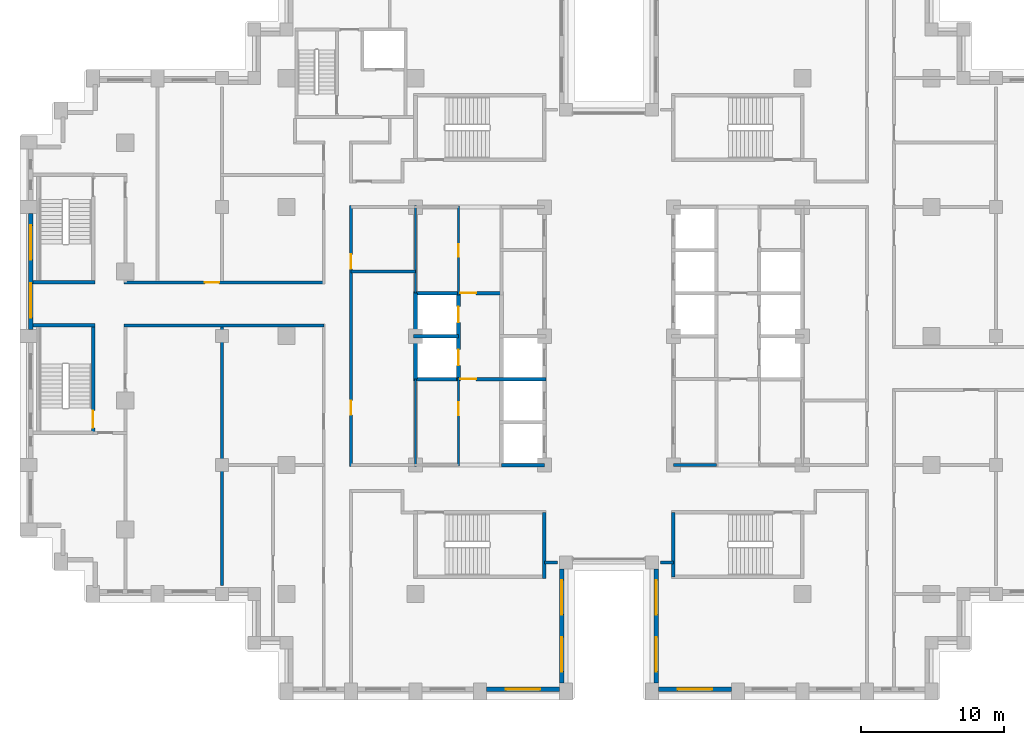
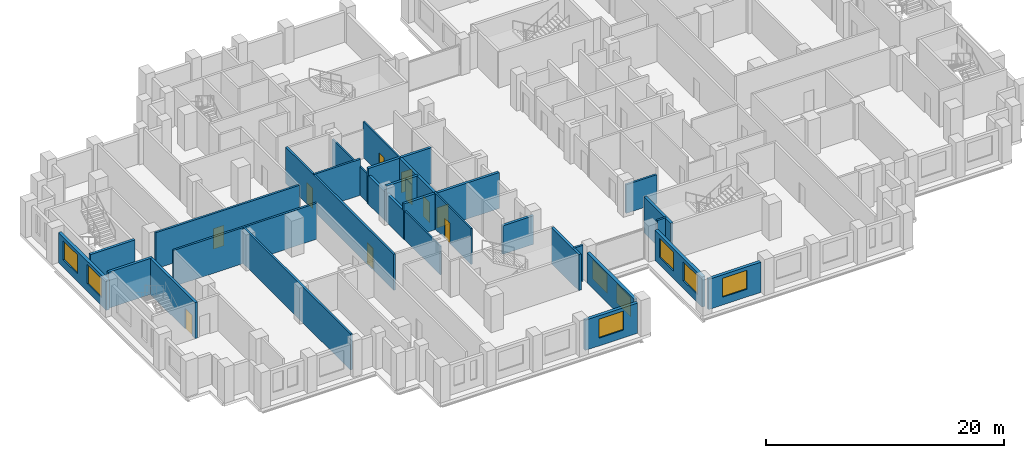
# One storey, part 7 of 15: 28 walls, 10 doors, 8 windows, 18 openings.
"""IFC4 building model written with IfcOpenShell, lengths in metres."""

from ifc_helpers import new_model, si_unit, direction, frame, frame_2d, origin, place, context, subcontext, project, spatial, rectangle, extrude, material, layer, layer_set, type_object, element, fill, save


model = new_model("IFC4")

# Units and contexts
model_context = context("Model", 3, precision=1e-05, world=origin(), true_north=direction((0.0, 1.0)))
body_context = subcontext(model_context, "Body", "Model", "MODEL_VIEW")
ifc_project = project(units=[si_unit("LENGTHUNIT", "METRE"), si_unit("AREAUNIT", "SQUARE_METRE"), si_unit("VOLUMEUNIT", "CUBIC_METRE"), si_unit("PLANEANGLEUNIT", "RADIAN"), si_unit("MASSUNIT", "GRAM", prefix="KILO")], contexts=[model_context])

# Site, building, storey
site_placement = place(None, origin())
site = spatial("IfcSite", under=ifc_project, at=site_placement, CompositionType="ELEMENT")
building_placement = place(site_placement, origin())
building = spatial("IfcBuilding", under=site, at=building_placement, Name="Corbelhall Arena Tower", CompositionType="ELEMENT")
storey_placement = place(building_placement, frame((0.0, 0.0, 100.0)))
storey = spatial("IfcBuildingStorey", under=building, at=storey_placement, Name="L17", CompositionType="ELEMENT", Elevation=100.0)

# Wall, openings, windows
ifc_material_1 = material(Name="Precast concrete C40/50 with granite facing", Category="masonry")
ifc_layer_1 = layer(ifc_material_1, 0.300048828125)
ifc_layer_set_1 = layer_set([ifc_layer_1], Name="EV-IW1 Infill panel 300")
wall_type_1 = type_object("IfcWallType", Name="EV-IW1 Infill panel 300", PredefinedType="SOLIDWALL", material=ifc_layer_set_1)
wall_1_placement = place(storey_placement, frame((-40.35009765625, 8.550048828125, 0.0), z_axis=(0.0, 0.0, 1.0), x_axis=(0.0, -1.0, 0.0)))
wall_1 = element("IfcWall", 1, at=wall_1_placement, inside=storey, type_object=wall_type_1, Name="Infill panel IW1", PredefinedType="SOLIDWALL", context=body_context, shape_type="SweptSolid", body=[
    extrude(rectangle(XDim=8.10009765625, YDim=0.300048828125, at=frame_2d((4.050048828125, 0.0))), origin(), (0.0, 0.0, 1.0), 3.10009765625),
])
opening_1_placement = place(wall_1_placement, frame((0.824951171875, 0.0, 0.800048828125)))
opening_1 = element("IfcOpeningElement", 2, at=opening_1_placement, cuts=wall_1, Name="Opening WN1", PredefinedType="OPENING", context=body_context, shape_type="SweptSolid", body=[
    extrude(rectangle(XDim=2.39990234375, YDim=1.949951171875, at=frame_2d((1.199951171875, 0.97509765625))), frame((0.0, 0.14990234375, 0.0), z_axis=(0.0, -1.0, 0.0), x_axis=(1.0, 0.0, 0.0)), (0.0, 0.0, 1.0), 0.300048828125),
])
opening_2_placement = place(wall_1_placement, frame((4.875, 0.0, 0.800048828125)))
opening_2 = element("IfcOpeningElement", 3, at=opening_2_placement, cuts=wall_1, Name="Opening WN1", PredefinedType="OPENING", context=body_context, shape_type="SweptSolid", body=[
    extrude(rectangle(XDim=2.39990234375, YDim=1.949951171875, at=frame_2d((1.199951171875, 0.97509765625))), frame((0.0, 0.14990234375, 0.0), z_axis=(0.0, -1.0, 0.0), x_axis=(1.0, 0.0, 0.0)), (0.0, 0.0, 1.0), 0.300048828125),
])
ifc_material_2 = material(Name="Aluminium black anodised", Category="aluminium")
window_type = type_object("IfcWindowType", Name="EV-WN1 Office window", PartitioningType="SINGLE_PANEL", PredefinedType="WINDOW", material=ifc_material_2)
window_1_placement = place(opening_1_placement, origin())
window_1 = element("IfcWindow", 4, at=window_1_placement, inside=storey, type_object=window_type, Name="Window WN1", OverallHeight=1.949951171875, OverallWidth=2.39990234375, PartitioningType="SINGLE_PANEL", PredefinedType="WINDOW", context=body_context, shape_type="SweptSolid", body=[
    extrude(rectangle(XDim=2.39990234375, YDim=1.949951171875, at=frame_2d((1.199951171875, 0.97509765625))), frame((0.0, 0.030029296875, 0.0), z_axis=(0.0, -1.0, 0.0), x_axis=(1.0, 0.0, 0.0)), (0.0, 0.0, 1.0), 0.06005859375),
])
fill(opening_1, window_1)
window_2_placement = place(opening_2_placement, origin())
window_2 = element("IfcWindow", 5, at=window_2_placement, inside=storey, type_object=window_type, Name="Window WN1", OverallHeight=1.949951171875, OverallWidth=2.39990234375, PartitioningType="SINGLE_PANEL", PredefinedType="WINDOW", context=body_context, shape_type="SweptSolid", body=[
    extrude(rectangle(XDim=2.39990234375, YDim=1.949951171875, at=frame_2d((1.199951171875, 0.97509765625))), frame((0.0, 0.030029296875, 0.0), z_axis=(0.0, -1.0, 0.0), x_axis=(1.0, 0.0, 0.0)), (0.0, 0.0, 1.0), 0.06005859375),
])
fill(opening_2, window_2)

# Wall, opening, window
wall_2_placement = place(storey_placement, frame((-8.550048828125, -24.64990234375, 0.0), z_axis=(0.0, 0.0, 1.0), x_axis=(1.0, 0.0, 0.0)))
wall_2 = element("IfcWall", 6, at=wall_2_placement, inside=storey, type_object=wall_type_1, Name="Infill panel IW1", PredefinedType="SOLIDWALL", context=body_context, shape_type="SweptSolid", body=[
    extrude(rectangle(XDim=5.10009765625, YDim=0.300048828125, at=frame_2d((2.550048828125, 0.0))), origin(), (0.0, 0.0, 1.0), 3.10009765625),
])
opening_3_placement = place(wall_2_placement, frame((1.35009765625, 0.0, 0.800048828125)))
opening_3 = element("IfcOpeningElement", 7, at=opening_3_placement, cuts=wall_2, Name="Opening WN1", PredefinedType="OPENING", context=body_context, shape_type="SweptSolid", body=[
    extrude(rectangle(XDim=2.39990234375, YDim=1.949951171875, at=frame_2d((1.199951171875, 0.97509765625))), frame((0.0, 0.14990234375, 0.0), z_axis=(0.0, -1.0, 0.0), x_axis=(1.0, 0.0, 0.0)), (0.0, 0.0, 1.0), 0.300048828125),
])
window_3_placement = place(opening_3_placement, origin())
window_3 = element("IfcWindow", 8, at=window_3_placement, inside=storey, type_object=window_type, Name="Window WN1", OverallHeight=1.949951171875, OverallWidth=2.39990234375, PartitioningType="SINGLE_PANEL", PredefinedType="WINDOW", context=body_context, shape_type="SweptSolid", body=[
    extrude(rectangle(XDim=2.39990234375, YDim=1.949951171875, at=frame_2d((1.199951171875, 0.97509765625))), frame((0.0, 0.030029296875, 0.0), z_axis=(0.0, -1.0, 0.0), x_axis=(1.0, 0.0, 0.0)), (0.0, 0.0, 1.0), 0.06005859375),
])
fill(opening_3, window_3)

# Wall, openings, windows
wall_3_placement = place(storey_placement, frame((-3.300048828125, -24.199951171875, 0.0), z_axis=(0.0, 0.0, 1.0), x_axis=(0.0, 1.0, 0.0)))
wall_3 = element("IfcWall", 9, at=wall_3_placement, inside=storey, type_object=wall_type_1, Name="Infill panel IW1", PredefinedType="SOLIDWALL", context=body_context, shape_type="SweptSolid", body=[
    extrude(rectangle(XDim=7.949951171875, YDim=0.300048828125, at=frame_2d((3.97509765625, 0.0))), origin(), (0.0, 0.0, 1.0), 3.10009765625),
])
opening_4_placement = place(wall_3_placement, frame((0.78759765625, 0.0, 0.800048828125)))
opening_4 = element("IfcOpeningElement", 10, at=opening_4_placement, cuts=wall_3, Name="Opening WN1", PredefinedType="OPENING", context=body_context, shape_type="SweptSolid", body=[
    extrude(rectangle(XDim=2.39990234375, YDim=1.949951171875, at=frame_2d((1.199951171875, 0.97509765625))), frame((0.0, 0.14990234375, 0.0), z_axis=(0.0, -1.0, 0.0), x_axis=(1.0, 0.0, 0.0)), (0.0, 0.0, 1.0), 0.300048828125),
])
opening_5_placement = place(wall_3_placement, frame((4.762451171875, 0.0, 0.800048828125)))
opening_5 = element("IfcOpeningElement", 11, at=opening_5_placement, cuts=wall_3, Name="Opening WN1", PredefinedType="OPENING", context=body_context, shape_type="SweptSolid", body=[
    extrude(rectangle(XDim=2.39990234375, YDim=1.949951171875, at=frame_2d((1.199951171875, 0.97509765625))), frame((0.0, 0.14990234375, 0.0), z_axis=(0.0, -1.0, 0.0), x_axis=(1.0, 0.0, 0.0)), (0.0, 0.0, 1.0), 0.300048828125),
])
window_4_placement = place(opening_4_placement, origin())
window_4 = element("IfcWindow", 12, at=window_4_placement, inside=storey, type_object=window_type, Name="Window WN1", OverallHeight=1.949951171875, OverallWidth=2.39990234375, PartitioningType="SINGLE_PANEL", PredefinedType="WINDOW", context=body_context, shape_type="SweptSolid", body=[
    extrude(rectangle(XDim=2.39990234375, YDim=1.949951171875, at=frame_2d((1.199951171875, 0.97509765625))), frame((0.0, 0.030029296875, 0.0), z_axis=(0.0, -1.0, 0.0), x_axis=(1.0, 0.0, 0.0)), (0.0, 0.0, 1.0), 0.06005859375),
])
fill(opening_4, window_4)
window_5_placement = place(opening_5_placement, origin())
window_5 = element("IfcWindow", 13, at=window_5_placement, inside=storey, type_object=window_type, Name="Window WN1", OverallHeight=1.949951171875, OverallWidth=2.39990234375, PartitioningType="SINGLE_PANEL", PredefinedType="WINDOW", context=body_context, shape_type="SweptSolid", body=[
    extrude(rectangle(XDim=2.39990234375, YDim=1.949951171875, at=frame_2d((1.199951171875, 0.97509765625))), frame((0.0, 0.030029296875, 0.0), z_axis=(0.0, -1.0, 0.0), x_axis=(1.0, 0.0, 0.0)), (0.0, 0.0, 1.0), 0.06005859375),
])
fill(opening_5, window_5)

wall_4_placement = place(storey_placement, frame((3.300048828125, -16.25, 0.0), z_axis=(0.0, 0.0, 1.0), x_axis=(0.0, -1.0, 0.0)))
wall_4 = element("IfcWall", 14, at=wall_4_placement, inside=storey, type_object=wall_type_1, Name="Infill panel IW1", PredefinedType="SOLIDWALL", context=body_context, shape_type="SweptSolid", body=[
    extrude(rectangle(XDim=7.949951171875, YDim=0.300048828125, at=frame_2d((3.97509765625, 0.0))), origin(), (0.0, 0.0, 1.0), 3.10009765625),
])
opening_6_placement = place(wall_4_placement, frame((0.78759765625, 0.0, 0.800048828125)))
opening_6 = element("IfcOpeningElement", 15, at=opening_6_placement, cuts=wall_4, Name="Opening WN1", PredefinedType="OPENING", context=body_context, shape_type="SweptSolid", body=[
    extrude(rectangle(XDim=2.39990234375, YDim=1.949951171875, at=frame_2d((1.199951171875, 0.97509765625))), frame((0.0, 0.14990234375, 0.0), z_axis=(0.0, -1.0, 0.0), x_axis=(1.0, 0.0, 0.0)), (0.0, 0.0, 1.0), 0.300048828125),
])
opening_7_placement = place(wall_4_placement, frame((4.762451171875, 0.0, 0.800048828125)))
opening_7 = element("IfcOpeningElement", 16, at=opening_7_placement, cuts=wall_4, Name="Opening WN1", PredefinedType="OPENING", context=body_context, shape_type="SweptSolid", body=[
    extrude(rectangle(XDim=2.39990234375, YDim=1.949951171875, at=frame_2d((1.199951171875, 0.97509765625))), frame((0.0, 0.14990234375, 0.0), z_axis=(0.0, -1.0, 0.0), x_axis=(1.0, 0.0, 0.0)), (0.0, 0.0, 1.0), 0.300048828125),
])
window_6_placement = place(opening_6_placement, origin())
window_6 = element("IfcWindow", 17, at=window_6_placement, inside=storey, type_object=window_type, Name="Window WN1", OverallHeight=1.949951171875, OverallWidth=2.39990234375, PartitioningType="SINGLE_PANEL", PredefinedType="WINDOW", context=body_context, shape_type="SweptSolid", body=[
    extrude(rectangle(XDim=2.39990234375, YDim=1.949951171875, at=frame_2d((1.199951171875, 0.97509765625))), frame((0.0, 0.030029296875, 0.0), z_axis=(0.0, -1.0, 0.0), x_axis=(1.0, 0.0, 0.0)), (0.0, 0.0, 1.0), 0.06005859375),
])
fill(opening_6, window_6)
window_7_placement = place(opening_7_placement, origin())
window_7 = element("IfcWindow", 18, at=window_7_placement, inside=storey, type_object=window_type, Name="Window WN1", OverallHeight=1.949951171875, OverallWidth=2.39990234375, PartitioningType="SINGLE_PANEL", PredefinedType="WINDOW", context=body_context, shape_type="SweptSolid", body=[
    extrude(rectangle(XDim=2.39990234375, YDim=1.949951171875, at=frame_2d((1.199951171875, 0.97509765625))), frame((0.0, 0.030029296875, 0.0), z_axis=(0.0, -1.0, 0.0), x_axis=(1.0, 0.0, 0.0)), (0.0, 0.0, 1.0), 0.06005859375),
])
fill(opening_7, window_7)

# Wall, opening, window
wall_5_placement = place(storey_placement, frame((3.449951171875, -24.64990234375, 0.0), z_axis=(0.0, 0.0, 1.0), x_axis=(1.0, 0.0, 0.0)))
wall_5 = element("IfcWall", 19, at=wall_5_placement, inside=storey, type_object=wall_type_1, Name="Infill panel IW1", PredefinedType="SOLIDWALL", context=body_context, shape_type="SweptSolid", body=[
    extrude(rectangle(XDim=5.10009765625, YDim=0.300048828125, at=frame_2d((2.550048828125, 0.0))), origin(), (0.0, 0.0, 1.0), 3.10009765625),
])
opening_8_placement = place(wall_5_placement, frame((1.35009765625, 0.0, 0.800048828125)))
opening_8 = element("IfcOpeningElement", 20, at=opening_8_placement, cuts=wall_5, Name="Opening WN1", PredefinedType="OPENING", context=body_context, shape_type="SweptSolid", body=[
    extrude(rectangle(XDim=2.39990234375, YDim=1.949951171875, at=frame_2d((1.199951171875, 0.97509765625))), frame((0.0, 0.14990234375, 0.0), z_axis=(0.0, -1.0, 0.0), x_axis=(1.0, 0.0, 0.0)), (0.0, 0.0, 1.0), 0.300048828125),
])
window_8_placement = place(opening_8_placement, origin())
window_8 = element("IfcWindow", 21, at=window_8_placement, inside=storey, type_object=window_type, Name="Window WN1", OverallHeight=1.949951171875, OverallWidth=2.39990234375, PartitioningType="SINGLE_PANEL", PredefinedType="WINDOW", context=body_context, shape_type="SweptSolid", body=[
    extrude(rectangle(XDim=2.39990234375, YDim=1.949951171875, at=frame_2d((1.199951171875, 0.97509765625))), frame((0.0, 0.030029296875, 0.0), z_axis=(0.0, -1.0, 0.0), x_axis=(1.0, 0.0, 0.0)), (0.0, 0.0, 1.0), 0.06005859375),
])
fill(opening_8, window_8)

# Wall, opening, door
ifc_material_3 = material(Name="Gypsum board on steel stud, acoustic", Category="steel")
ifc_layer_2 = layer(ifc_material_3, 0.199951171875)
ifc_layer_set_2 = layer_set([ifc_layer_2], Name="IN-W-DM200")
wall_type_2 = type_object("IfcWallType", Name="IN-W-DM200", PredefinedType="PARTITIONING", material=ifc_layer_set_2)
wall_6_placement = place(storey_placement, frame((-33.85009765625, 3.75, 0.0), z_axis=(0.0, 0.0, 1.0), x_axis=(1.0, 0.0, 0.0)))
wall_6 = element("IfcWall", 22, at=wall_6_placement, inside=storey, type_object=wall_type_2, Name="Partition 002", PredefinedType="PARTITIONING", context=body_context, shape_type="SweptSolid", body=[
    extrude(rectangle(XDim=13.9501953125, YDim=0.199951171875, at=frame_2d((6.97509765625, 0.0))), origin(), (0.0, 0.0, 1.0), 3.699951171875),
])
opening_9_placement = place(wall_6_placement, frame((5.64990234375, 0.0, 0.0)))
opening_9 = element("IfcOpeningElement", 23, at=opening_9_placement, cuts=wall_6, Name="Opening 03042", PredefinedType="OPENING", context=body_context, shape_type="SweptSolid", body=[
    extrude(rectangle(XDim=1.0, YDim=2.10009765625, at=frame_2d((0.5, 1.050048828125))), frame((0.0, 0.10009765625, 0.0), z_axis=(0.0, -1.0, 0.0), x_axis=(1.0, 0.0, 0.0)), (0.0, 0.0, 1.0), 0.199951171875),
])
ifc_material_4 = material(Name="Steel door set", Category="steel")
door_type_1 = type_object("IfcDoorType", Name="IN-D-SW100", OperationType="NOTDEFINED", PredefinedType="DOOR", material=ifc_material_4)
door_1_placement = place(opening_9_placement, origin())
door_1 = element("IfcDoor", 24, at=door_1_placement, inside=storey, type_object=door_type_1, Name="Door 042", OperationType="SINGLE_SWING_LEFT", OverallHeight=2.10009765625, OverallWidth=1.0, PredefinedType="DOOR", context=body_context, shape_type="SweptSolid", body=[
    extrude(rectangle(XDim=1.0, YDim=2.10009765625, at=frame_2d((0.5, 1.050048828125))), frame((0.0, 0.02490234375, 0.0), z_axis=(0.0, -1.0, 0.0), x_axis=(1.0, 0.0, 0.0)), (0.0, 0.0, 1.0), 0.050048828125),
])
fill(opening_9, door_1)

# Walls
wall_7_placement = place(storey_placement, frame((-27.0, -17.39990234375, 0.0), z_axis=(0.0, 0.0, 1.0), x_axis=(0.0, 1.0, 0.0)))
element("IfcWall", 25, at=wall_7_placement, inside=storey, type_object=wall_type_2, Name="Partition 009", PredefinedType="PARTITIONING", context=body_context, shape_type="SweptSolid", body=[
    extrude(rectangle(XDim=18.14990234375, YDim=0.199951171875, at=frame_2d((9.074951171875, 0.0))), origin(), (0.0, 0.0, 1.0), 3.699951171875),
])
wall_8_placement = place(storey_placement, frame((-19.89990234375, 0.75, 0.0), z_axis=(0.0, 0.0, 1.0), x_axis=(-1.0, 0.0, 0.0)))
element("IfcWall", 26, at=wall_8_placement, inside=storey, type_object=wall_type_2, Name="Partition 011", PredefinedType="PARTITIONING", context=body_context, shape_type="SweptSolid", body=[
    extrude(rectangle(XDim=13.9501953125, YDim=0.199951171875, at=frame_2d((6.97509765625, 0.0))), origin(), (0.0, 0.0, 1.0), 3.699951171875),
])
wall_9_placement = place(storey_placement, frame((-18.0, 4.5, 0.0), z_axis=(0.0, 0.0, 1.0), x_axis=(1.0, 0.0, 0.0)))
element("IfcWall", 27, at=wall_9_placement, inside=storey, type_object=wall_type_2, Name="Partition 019", PredefinedType="PARTITIONING", context=body_context, shape_type="SweptSolid", body=[
    extrude(rectangle(XDim=4.5, YDim=0.199951171875, at=frame_2d((2.25, 0.0))), origin(), (0.0, 0.0, 1.0), 3.699951171875),
])

# Wall, openings, doors
wall_10_placement = place(storey_placement, frame((-18.0, 9.10009765625, 0.0), z_axis=(0.0, 0.0, 1.0), x_axis=(0.0, -1.0, 0.0)))
wall_10 = element("IfcWall", 28, at=wall_10_placement, inside=storey, type_object=wall_type_2, Name="Partition 020", PredefinedType="PARTITIONING", context=body_context, shape_type="SweptSolid", body=[
    extrude(rectangle(XDim=18.2001953125, YDim=0.199951171875, at=frame_2d((9.10009765625, 0.0))), origin(), (0.0, 0.0, 1.0), 3.699951171875),
])
opening_10_placement = place(wall_10_placement, frame((13.60009765625, 0.0, 0.0)))
opening_10 = element("IfcOpeningElement", 29, at=opening_10_placement, cuts=wall_10, Name="Opening 03021", PredefinedType="OPENING", context=body_context, shape_type="SweptSolid", body=[
    extrude(rectangle(XDim=1.0, YDim=2.10009765625, at=frame_2d((0.5, 1.050048828125))), frame((0.0, 0.10009765625, 0.0), z_axis=(0.0, -1.0, 0.0), x_axis=(1.0, 0.0, 0.0)), (0.0, 0.0, 1.0), 0.199951171875),
])
opening_11_placement = place(wall_10_placement, frame((3.39990234375, 0.0, 0.0)))
opening_11 = element("IfcOpeningElement", 30, at=opening_11_placement, cuts=wall_10, Name="Opening 03022", PredefinedType="OPENING", context=body_context, shape_type="SweptSolid", body=[
    extrude(rectangle(XDim=1.0, YDim=2.10009765625, at=frame_2d((0.5, 1.050048828125))), frame((0.0, 0.10009765625, 0.0), z_axis=(0.0, -1.0, 0.0), x_axis=(1.0, 0.0, 0.0)), (0.0, 0.0, 1.0), 0.199951171875),
])
door_2_placement = place(opening_10_placement, origin())
door_2 = element("IfcDoor", 31, at=door_2_placement, inside=storey, type_object=door_type_1, Name="Door 021", OperationType="SINGLE_SWING_RIGHT", OverallHeight=2.10009765625, OverallWidth=1.0, PredefinedType="DOOR", context=body_context, shape_type="SweptSolid", body=[
    extrude(rectangle(XDim=1.0, YDim=2.10009765625, at=frame_2d((0.5, 1.050048828125))), frame((0.0, 0.02490234375, 0.0), z_axis=(0.0, -1.0, 0.0), x_axis=(1.0, 0.0, 0.0)), (0.0, 0.0, 1.0), 0.050048828125),
])
fill(opening_10, door_2)
door_3_placement = place(opening_11_placement, origin())
door_3 = element("IfcDoor", 32, at=door_3_placement, inside=storey, type_object=door_type_1, Name="Door 022", OperationType="SINGLE_SWING_LEFT", OverallHeight=2.10009765625, OverallWidth=1.0, PredefinedType="DOOR", context=body_context, shape_type="SweptSolid", body=[
    extrude(rectangle(XDim=1.0, YDim=2.10009765625, at=frame_2d((0.5, 1.050048828125))), frame((0.0, 0.02490234375, 0.0), z_axis=(0.0, -1.0, 0.0), x_axis=(1.0, 0.0, 0.0)), (0.0, 0.0, 1.0), 0.050048828125),
])
fill(opening_11, door_3)

# Walls
for number, where, z_axis, x_axis, name in (
    (33, (-3.60009765625, -15.800048828125, 0.0), (0.0, 0.0, 1.0), (-1.0, 0.0, 0.0), "Partition 033"),
    (34, (4.5, -15.800048828125, 0.0), (0.0, 0.0, 1.0), (-1.0, 0.0, 0.0), "Partition 035"),
):
    element("IfcWall", number, at=place(storey_placement, frame(where, z_axis=z_axis, x_axis=x_axis)), inside=storey, type_object=wall_type_2, Name=name, PredefinedType="PARTITIONING", context=body_context, shape_type="SweptSolid", body=[
        extrude(rectangle(XDim=0.89990234375, YDim=0.199951171875, at=frame_2d((0.449951171875, 0.0))), origin(), (0.0, 0.0, 1.0), 3.699951171875),
    ])
ifc_material_5 = material(Name="Concrete block wall", Category="concrete")
ifc_layer_3 = layer(ifc_material_5, 0.199951171875)
ifc_layer_set_3 = layer_set([ifc_layer_3], Name="IN-W-RS200 under beam 762 mm")
wall_type_3 = type_object("IfcWallType", Name="IN-W-RS200 under beam 762 mm", PredefinedType="SOLIDWALL", material=ifc_layer_set_3)
wall_11_placement = place(storey_placement, frame((7.5, -9.0, 0.0), z_axis=(0.0, 0.0, 1.0), x_axis=(-1.0, 0.0, 0.0)))
element("IfcWall", 35, at=wall_11_placement, inside=storey, type_object=wall_type_3, Name="Partition 069", PredefinedType="SOLIDWALL", context=body_context, shape_type="SweptSolid", body=[
    extrude(rectangle(XDim=3.0, YDim=0.199951171875, at=frame_2d((1.5, 0.0))), origin(), (0.0, 0.0, 1.0), 2.93798828125),
])
ifc_material_6 = material(Name="Concrete C40/50", Category="concrete")
ifc_layer_4 = layer(ifc_material_6, 0.25)
ifc_layer_set_4 = layer_set([ifc_layer_4], Name="IN-W-SH250")
wall_type_4 = type_object("IfcWallType", Name="IN-W-SH250", PredefinedType="SOLIDWALL", material=ifc_layer_set_4)
wall_12_placement = place(storey_placement, frame((-13.625, 0.0, 0.0), z_axis=(0.0, 0.0, 1.0), x_axis=(1.0, 0.0, 0.0)))
element("IfcWall", 36, at=wall_12_placement, inside=storey, type_object=wall_type_4, Name="Shaft wall 074", PredefinedType="SOLIDWALL", context=body_context, shape_type="SweptSolid", body=[
    extrude(rectangle(XDim=3.125, YDim=0.25, at=frame_2d((1.5625, 0.0))), origin(), (0.0, 0.0, 1.0), 3.699951171875),
])

# Wall, opening, door
wall_13_placement = place(storey_placement, frame((-13.625, 3.0, 0.0), z_axis=(0.0, 0.0, 1.0), x_axis=(1.0, 0.0, 0.0)))
wall_13 = element("IfcWall", 37, at=wall_13_placement, inside=storey, type_object=wall_type_4, Name="Shaft wall 075", PredefinedType="SOLIDWALL", context=body_context, shape_type="SweptSolid", body=[
    extrude(rectangle(XDim=6.125, YDim=0.25, at=frame_2d((3.0625, 0.0))), origin(), (0.0, 0.0, 1.0), 3.699951171875),
])
opening_12_placement = place(wall_13_placement, frame((3.25, 0.0, 0.0)))
opening_12 = element("IfcOpeningElement", 38, at=opening_12_placement, cuts=wall_13, Name="Opening 03004", PredefinedType="OPENING", context=body_context, shape_type="SweptSolid", body=[
    extrude(rectangle(XDim=1.10009765625, YDim=2.10009765625, at=frame_2d((0.550048828125, 1.050048828125))), frame((0.0, 0.125, 0.0), z_axis=(0.0, -1.0, 0.0), x_axis=(1.0, 0.0, 0.0)), (0.0, 0.0, 1.0), 0.25),
])
door_type_2 = type_object("IfcDoorType", Name="IN-D-FD110", OperationType="NOTDEFINED", PredefinedType="DOOR", material=ifc_material_4)
door_4_placement = place(opening_12_placement, origin())
door_4 = element("IfcDoor", 39, at=door_4_placement, inside=storey, type_object=door_type_2, Name="Door 004", OperationType="SINGLE_SWING_LEFT", OverallHeight=2.10009765625, OverallWidth=1.10009765625, PredefinedType="DOOR", context=body_context, shape_type="SweptSolid", body=[
    extrude(rectangle(XDim=1.10009765625, YDim=2.10009765625, at=frame_2d((0.550048828125, 1.050048828125))), frame((0.0, 0.02490234375, 0.0), z_axis=(0.0, -1.0, 0.0), x_axis=(1.0, 0.0, 0.0)), (0.0, 0.0, 1.0), 0.050048828125),
])
fill(opening_12, door_4)

wall_14_placement = place(storey_placement, frame((-13.625, -3.0, 0.0), z_axis=(0.0, 0.0, 1.0), x_axis=(1.0, 0.0, 0.0)))
wall_14 = element("IfcWall", 40, at=wall_14_placement, inside=storey, type_object=wall_type_4, Name="Shaft wall 077", PredefinedType="SOLIDWALL", context=body_context, shape_type="SweptSolid", body=[
    extrude(rectangle(XDim=9.25, YDim=0.25, at=frame_2d((4.625, 0.0))), origin(), (0.0, 0.0, 1.0), 3.699951171875),
])
opening_13_placement = place(wall_14_placement, frame((3.25, 0.0, 0.0)))
opening_13 = element("IfcOpeningElement", 41, at=opening_13_placement, cuts=wall_14, Name="Opening 03003", PredefinedType="OPENING", context=body_context, shape_type="SweptSolid", body=[
    extrude(rectangle(XDim=1.10009765625, YDim=2.10009765625, at=frame_2d((0.550048828125, 1.050048828125))), frame((0.0, 0.125, 0.0), z_axis=(0.0, -1.0, 0.0), x_axis=(1.0, 0.0, 0.0)), (0.0, 0.0, 1.0), 0.25),
])
door_5_placement = place(opening_13_placement, origin())
door_5 = element("IfcDoor", 42, at=door_5_placement, inside=storey, type_object=door_type_2, Name="Door 003", OperationType="SINGLE_SWING_RIGHT", OverallHeight=2.10009765625, OverallWidth=1.10009765625, PredefinedType="DOOR", context=body_context, shape_type="SweptSolid", body=[
    extrude(rectangle(XDim=1.10009765625, YDim=2.10009765625, at=frame_2d((0.550048828125, 1.050048828125))), frame((0.0, 0.02490234375, 0.0), z_axis=(0.0, -1.0, 0.0), x_axis=(1.0, 0.0, 0.0)), (0.0, 0.0, 1.0), 0.050048828125),
])
fill(opening_13, door_5)

# Wall, openings, doors
wall_15_placement = place(storey_placement, frame((-10.5, -3.125, 0.0), z_axis=(0.0, 0.0, 1.0), x_axis=(0.0, 1.0, 0.0)))
wall_15 = element("IfcWall", 43, at=wall_15_placement, inside=storey, type_object=wall_type_4, Name="Shaft wall 078", PredefinedType="SOLIDWALL", context=body_context, shape_type="SweptSolid", body=[
    extrude(rectangle(XDim=6.25, YDim=0.25, at=frame_2d((3.125, 0.0))), origin(), (0.0, 0.0, 1.0), 3.699951171875),
])
opening_14_placement = place(wall_15_placement, frame((1.074951171875, 0.0, 0.0)))
opening_14 = element("IfcOpeningElement", 44, at=opening_14_placement, cuts=wall_15, Name="Opening LD", PredefinedType="OPENING", context=body_context, shape_type="SweptSolid", body=[
    extrude(rectangle(XDim=1.10009765625, YDim=2.10009765625, at=frame_2d((0.550048828125, 1.050048828125))), frame((0.0, 0.125, 0.0), z_axis=(0.0, -1.0, 0.0), x_axis=(1.0, 0.0, 0.0)), (0.0, 0.0, 1.0), 0.25),
])
opening_15_placement = place(wall_15_placement, frame((4.074951171875, 0.0, 0.0)))
opening_15 = element("IfcOpeningElement", 45, at=opening_15_placement, cuts=wall_15, Name="Opening LD", PredefinedType="OPENING", context=body_context, shape_type="SweptSolid", body=[
    extrude(rectangle(XDim=1.10009765625, YDim=2.10009765625, at=frame_2d((0.550048828125, 1.050048828125))), frame((0.0, 0.125, 0.0), z_axis=(0.0, -1.0, 0.0), x_axis=(1.0, 0.0, 0.0)), (0.0, 0.0, 1.0), 0.25),
])
door_type_3 = type_object("IfcDoorType", Name="IN-D-LD110", OperationType="NOTDEFINED", PredefinedType="DOOR", material=ifc_material_4)
door_6_placement = place(opening_14_placement, origin())
door_6 = element("IfcDoor", 46, at=door_6_placement, inside=storey, type_object=door_type_3, Name="Landing door W3", OperationType="SLIDING_TO_LEFT", OverallHeight=2.10009765625, OverallWidth=1.10009765625, PredefinedType="DOOR", context=body_context, shape_type="SweptSolid", body=[
    extrude(rectangle(XDim=1.10009765625, YDim=2.10009765625, at=frame_2d((0.550048828125, 1.050048828125))), frame((0.0, 0.02490234375, 0.0), z_axis=(0.0, -1.0, 0.0), x_axis=(1.0, 0.0, 0.0)), (0.0, 0.0, 1.0), 0.050048828125),
])
fill(opening_14, door_6)
door_7_placement = place(opening_15_placement, origin())
door_7 = element("IfcDoor", 47, at=door_7_placement, inside=storey, type_object=door_type_3, Name="Landing door W4", OperationType="SLIDING_TO_LEFT", OverallHeight=2.10009765625, OverallWidth=1.10009765625, PredefinedType="DOOR", context=body_context, shape_type="SweptSolid", body=[
    extrude(rectangle(XDim=1.10009765625, YDim=2.10009765625, at=frame_2d((0.550048828125, 1.050048828125))), frame((0.0, 0.02490234375, 0.0), z_axis=(0.0, -1.0, 0.0), x_axis=(1.0, 0.0, 0.0)), (0.0, 0.0, 1.0), 0.050048828125),
])
fill(opening_15, door_7)

# Walls
ifc_layer_5 = layer(ifc_material_6, 0.25)
ifc_layer_set_5 = layer_set([ifc_layer_5], Name="IN-W-SH250 under beam 762 mm")
wall_type_5 = type_object("IfcWallType", Name="IN-W-SH250 under beam 762 mm", PredefinedType="SOLIDWALL", material=ifc_layer_set_5)
wall_16_placement = place(storey_placement, frame((-13.5, -3.0, 0.0), z_axis=(0.0, 0.0, 1.0), x_axis=(0.0, 1.0, 0.0)))
element("IfcWall", 48, at=wall_16_placement, inside=storey, type_object=wall_type_5, Name="Shaft wall 076", PredefinedType="SOLIDWALL", context=body_context, shape_type="SweptSolid", body=[
    extrude(rectangle(XDim=6.0, YDim=0.25, at=frame_2d((3.0, 0.0))), origin(), (0.0, 0.0, 1.0), 2.93798828125),
])
wall_17_placement = place(storey_placement, frame((-4.5, -9.0, 0.0), z_axis=(0.0, 0.0, 1.0), x_axis=(-1.0, 0.0, 0.0)))
element("IfcWall", 49, at=wall_17_placement, inside=storey, type_object=wall_type_5, Name="Shaft wall 082", PredefinedType="SOLIDWALL", context=body_context, shape_type="SweptSolid", body=[
    extrude(rectangle(XDim=3.0, YDim=0.25, at=frame_2d((1.5, 0.0))), origin(), (0.0, 0.0, 1.0), 2.93798828125),
])
ifc_layer_6 = layer(ifc_material_6, 0.25)
ifc_layer_set_6 = layer_set([ifc_layer_6], Name="IN-W-ST250")
wall_type_6 = type_object("IfcWallType", Name="IN-W-ST250", PredefinedType="SOLIDWALL", material=ifc_layer_set_6)
wall_18_placement = place(storey_placement, frame((-40.199951171875, 3.75, 0.0), z_axis=(0.0, 0.0, 1.0), x_axis=(1.0, 0.0, 0.0)))
element("IfcWall", 50, at=wall_18_placement, inside=storey, type_object=wall_type_6, Name="Shaft wall 095", PredefinedType="SOLIDWALL", context=body_context, shape_type="SweptSolid", body=[
    extrude(rectangle(XDim=4.324951171875, YDim=0.25, at=frame_2d((2.16259765625, 0.0))), origin(), (0.0, 0.0, 1.0), 3.699951171875),
])

# Wall, opening, door
wall_19_placement = place(storey_placement, frame((-36.0, 0.75, 0.0), z_axis=(0.0, 0.0, 1.0), x_axis=(0.0, -1.0, 0.0)))
wall_19 = element("IfcWall", 51, at=wall_19_placement, inside=storey, type_object=wall_type_6, Name="Shaft wall 098", PredefinedType="SOLIDWALL", context=body_context, shape_type="SweptSolid", body=[
    extrude(rectangle(XDim=7.625, YDim=0.25, at=frame_2d((3.8125, 0.0))), origin(), (0.0, 0.0, 1.0), 3.699951171875),
])
opening_16_placement = place(wall_19_placement, frame((5.949951171875, 0.0, 0.0)))
opening_16 = element("IfcOpeningElement", 52, at=opening_16_placement, cuts=wall_19, Name="Opening 03018", PredefinedType="OPENING", context=body_context, shape_type="SweptSolid", body=[
    extrude(rectangle(XDim=1.199951171875, YDim=2.10009765625, at=frame_2d((0.60009765625, 1.050048828125))), frame((0.0, 0.125, 0.0), z_axis=(0.0, -1.0, 0.0), x_axis=(1.0, 0.0, 0.0)), (0.0, 0.0, 1.0), 0.25),
])
door_type_4 = type_object("IfcDoorType", Name="IN-D-ST120", OperationType="NOTDEFINED", PredefinedType="DOOR", material=ifc_material_4)
door_8_placement = place(opening_16_placement, origin())
door_8 = element("IfcDoor", 53, at=door_8_placement, inside=storey, type_object=door_type_4, Name="Door 018", OperationType="SINGLE_SWING_LEFT", OverallHeight=2.10009765625, OverallWidth=1.199951171875, PredefinedType="DOOR", context=body_context, shape_type="SweptSolid", body=[
    extrude(rectangle(XDim=1.199951171875, YDim=2.10009765625, at=frame_2d((0.60009765625, 1.050048828125))), frame((0.0, 0.02490234375, 0.0), z_axis=(0.0, -1.0, 0.0), x_axis=(1.0, 0.0, 0.0)), (0.0, 0.0, 1.0), 0.050048828125),
])
fill(opening_16, door_8)

# Walls
wall_20_placement = place(storey_placement, frame((-35.875, 0.75, 0.0), z_axis=(0.0, 0.0, 1.0), x_axis=(-1.0, 0.0, 0.0)))
element("IfcWall", 54, at=wall_20_placement, inside=storey, type_object=wall_type_6, Name="Shaft wall 100", PredefinedType="SOLIDWALL", context=body_context, shape_type="SweptSolid", body=[
    extrude(rectangle(XDim=4.324951171875, YDim=0.25, at=frame_2d((2.16259765625, 0.0))), origin(), (0.0, 0.0, 1.0), 3.699951171875),
])
wall_21_placement = place(storey_placement, frame((-4.5, -12.300048828125, 0.0), z_axis=(0.0, 0.0, 1.0), x_axis=(0.0, -1.0, 0.0)))
element("IfcWall", 55, at=wall_21_placement, inside=storey, type_object=wall_type_6, Name="Shaft wall 106", PredefinedType="SOLIDWALL", context=body_context, shape_type="SweptSolid", body=[
    extrude(rectangle(XDim=4.625, YDim=0.25, at=frame_2d((2.3125, 0.0))), origin(), (0.0, 0.0, 1.0), 3.699951171875),
])
wall_22_placement = place(storey_placement, frame((4.5, -16.800048828125, 0.0), z_axis=(0.0, 0.0, 1.0), x_axis=(0.0, 1.0, 0.0)))
element("IfcWall", 56, at=wall_22_placement, inside=storey, type_object=wall_type_6, Name="Shaft wall 111", PredefinedType="SOLIDWALL", context=body_context, shape_type="SweptSolid", body=[
    extrude(rectangle(XDim=4.5, YDim=0.25, at=frame_2d((2.25, 0.0))), origin(), (0.0, 0.0, 1.0), 3.699951171875),
])

# Wall, opening, door
ifc_material_7 = material(Name="Gypsum board on steel stud, moisture resistant", Category="steel")
ifc_layer_7 = layer(ifc_material_7, 0.14990234375)
ifc_layer_set_7 = layer_set([ifc_layer_7], Name="IN-W-WC150")
wall_type_7 = type_object("IfcWallType", Name="IN-W-WC150", PredefinedType="PARTITIONING", material=ifc_layer_set_7)
wall_23_placement = place(storey_placement, frame((-10.5, -9.074951171875, 0.0), z_axis=(0.0, 0.0, 1.0), x_axis=(0.0, 1.0, 0.0)))
wall_23 = element("IfcWall", 57, at=wall_23_placement, inside=storey, type_object=wall_type_7, Name="Partition 126", PredefinedType="PARTITIONING", context=body_context, shape_type="SweptSolid", body=[
    extrude(rectangle(XDim=6.199951171875, YDim=0.14990234375, at=frame_2d((3.10009765625, 0.0))), origin(), (0.0, 0.0, 1.0), 3.699951171875),
])
opening_17_placement = place(wall_23_placement, frame((3.550048828125, 0.0, 0.0)))
opening_17 = element("IfcOpeningElement", 58, at=opening_17_placement, cuts=wall_23, Name="Opening 03005", PredefinedType="OPENING", context=body_context, shape_type="SweptSolid", body=[
    extrude(rectangle(XDim=0.89990234375, YDim=2.10009765625, at=frame_2d((0.449951171875, 1.050048828125))), frame((0.0, 0.074951171875, 0.0), z_axis=(0.0, -1.0, 0.0), x_axis=(1.0, 0.0, 0.0)), (0.0, 0.0, 1.0), 0.14990234375),
])
ifc_material_8 = material(Name="Timber door set", Category="wood")
door_type_5 = type_object("IfcDoorType", Name="IN-D-SW90", OperationType="NOTDEFINED", PredefinedType="DOOR", material=ifc_material_8)
door_9_placement = place(opening_17_placement, origin())
door_9 = element("IfcDoor", 59, at=door_9_placement, inside=storey, type_object=door_type_5, Name="Door 005", OperationType="SINGLE_SWING_RIGHT", OverallHeight=2.10009765625, OverallWidth=0.89990234375, PredefinedType="DOOR", context=body_context, shape_type="SweptSolid", body=[
    extrude(rectangle(XDim=0.89990234375, YDim=2.10009765625, at=frame_2d((0.449951171875, 1.050048828125))), frame((0.0, 0.02490234375, 0.0), z_axis=(0.0, -1.0, 0.0), x_axis=(1.0, 0.0, 0.0)), (0.0, 0.0, 1.0), 0.050048828125),
])
fill(opening_17, door_9)

wall_24_placement = place(storey_placement, frame((-10.5, 2.875, 0.0), z_axis=(0.0, 0.0, 1.0), x_axis=(0.0, 1.0, 0.0)))
wall_24 = element("IfcWall", 60, at=wall_24_placement, inside=storey, type_object=wall_type_7, Name="Partition 128", PredefinedType="PARTITIONING", context=body_context, shape_type="SweptSolid", body=[
    extrude(rectangle(XDim=6.199951171875, YDim=0.14990234375, at=frame_2d((3.10009765625, 0.0))), origin(), (0.0, 0.0, 1.0), 3.699951171875),
])
opening_18_placement = place(wall_24_placement, frame((2.64990234375, 0.0, 0.0)))
opening_18 = element("IfcOpeningElement", 61, at=opening_18_placement, cuts=wall_24, Name="Opening 03006", PredefinedType="OPENING", context=body_context, shape_type="SweptSolid", body=[
    extrude(rectangle(XDim=0.89990234375, YDim=2.10009765625, at=frame_2d((0.449951171875, 1.050048828125))), frame((0.0, 0.074951171875, 0.0), z_axis=(0.0, -1.0, 0.0), x_axis=(1.0, 0.0, 0.0)), (0.0, 0.0, 1.0), 0.14990234375),
])
door_10_placement = place(opening_18_placement, origin())
door_10 = element("IfcDoor", 62, at=door_10_placement, inside=storey, type_object=door_type_5, Name="Door 006", OperationType="SINGLE_SWING_LEFT", OverallHeight=2.10009765625, OverallWidth=0.89990234375, PredefinedType="DOOR", context=body_context, shape_type="SweptSolid", body=[
    extrude(rectangle(XDim=0.89990234375, YDim=2.10009765625, at=frame_2d((0.449951171875, 1.050048828125))), frame((0.0, 0.02490234375, 0.0), z_axis=(0.0, -1.0, 0.0), x_axis=(1.0, 0.0, 0.0)), (0.0, 0.0, 1.0), 0.050048828125),
])
fill(opening_18, door_10)

# Walls
ifc_layer_8 = layer(ifc_material_7, 0.14990234375)
ifc_layer_set_8 = layer_set([ifc_layer_8], Name="IN-W-WC150 under beam 762 mm")
wall_type_8 = type_object("IfcWallType", Name="IN-W-WC150 under beam 762 mm", PredefinedType="PARTITIONING", material=ifc_layer_set_8)
for number, where, z_axis, x_axis, name in (
    (63, (-13.5, -9.10009765625, 0.0), (0.0, 0.0, 1.0), (0.0, 1.0, 0.0), "Partition 124"),
    (64, (-13.5, 3.0, 0.0), (0.0, 0.0, 1.0), (0.0, 1.0, 0.0), "Partition 125"),
):
    element("IfcWall", number, at=place(storey_placement, frame(where, z_axis=z_axis, x_axis=x_axis)), inside=storey, type_object=wall_type_8, Name=name, PredefinedType="PARTITIONING", context=body_context, shape_type="SweptSolid", body=[
        extrude(rectangle(XDim=6.10009765625, YDim=0.14990234375, at=frame_2d((3.050048828125, 0.0))), origin(), (0.0, 0.0, 1.0), 2.93798828125),
    ])

save(model, "model.ifc")
